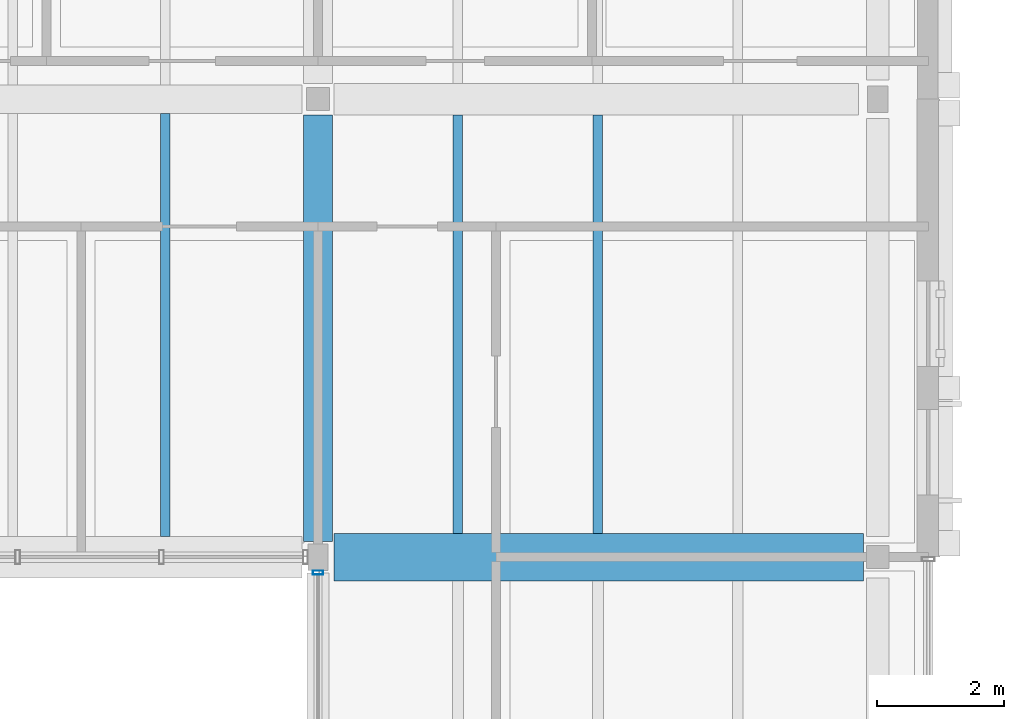
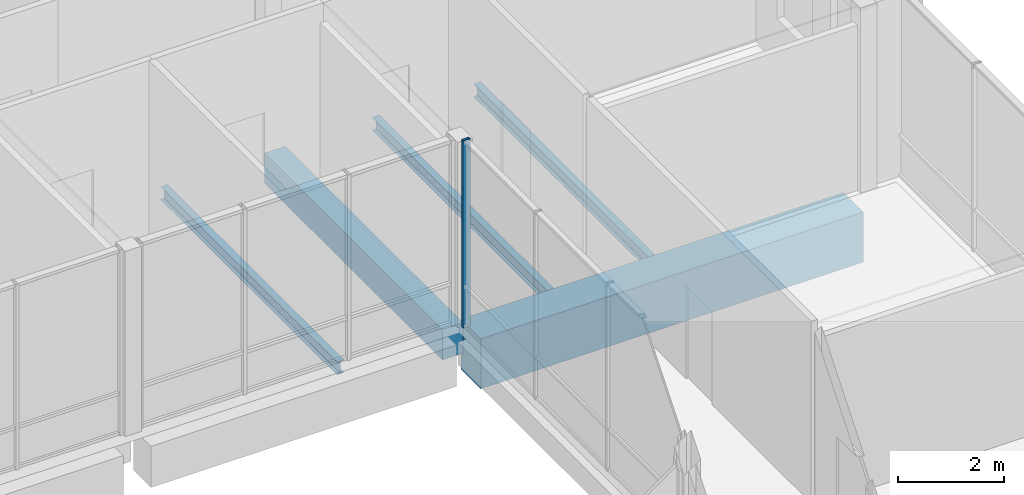
# One storey, part 52 of 146: 5 beams, 1 member, 1 element without a shape of its own.
"""IFC4 building model written with IfcOpenShell, lengths in metres."""

from ifc_helpers import new_model, si_unit, direction, frame, origin, origin_2d, place, context, subcontext, project, spatial, rectangle, hollow_rectangle, i_section, extrude, material, material_profile, profile_set, type_object, element, aggregate, save


model = new_model("IFC4")

# Units and contexts
model_context = context("Model", 3, precision=1e-05, world=origin(), true_north=direction((0.0, 1.0)))
body_context = subcontext(model_context, "Body", "Model", "MODEL_VIEW")
ifc_project = project(units=[si_unit("LENGTHUNIT", "METRE"), si_unit("AREAUNIT", "SQUARE_METRE"), si_unit("VOLUMEUNIT", "CUBIC_METRE"), si_unit("PLANEANGLEUNIT", "RADIAN"), si_unit("MASSUNIT", "GRAM", prefix="KILO")], contexts=[model_context])

# Site, building, storey
site_placement = place(None, origin())
site = spatial("IfcSite", under=ifc_project, at=site_placement, CompositionType="ELEMENT")
building_placement = place(site_placement, origin())
building = spatial("IfcBuilding", under=site, at=building_placement, Name="Hawrajan Terrace Health Centre", CompositionType="ELEMENT")
storey_placement = place(building_placement, frame((0.0, 0.0, 4.5)))
storey = spatial("IfcBuildingStorey", under=building, at=storey_placement, Name="L01", CompositionType="ELEMENT", Elevation=4.5)

# Curtain wall, member
ifc_material_1 = material(Name="Anodized bronze aluminium and low-E solar glazing", Category="aluminium")
curtain_wall_type = type_object("IfcCurtainWallType", Name="CW_Pavilion_SeriesE1", PredefinedType="USERDEFINED", material=ifc_material_1)
curtain_wall_placement = place(storey_placement, origin())
curtain_wall = element("IfcCurtainWall", 1, at=curtain_wall_placement, inside=storey, type_object=curtain_wall_type, Name="Curtain wall CW-L01-084", ObjectType="UNITISED CURTAIN WALL", PredefinedType="USERDEFINED")
ifc_material_2 = material(Name="Anodized bronze aluminium 6063-T6", Category="aluminium")
ifc_material_profile_1 = material_profile(ifc_material_2, hollow_rectangle(XDim=0.06494140625, YDim=0.159912109375, WallThickness=0.00390625, at=origin_2d()), Name="CW MUL 65x160")
ifc_profile_set_1 = profile_set([ifc_material_profile_1], Name="Anodized bronze aluminium 6063-T6")
member_type = type_object("IfcMemberType", Name="CWMullion_65x160", PredefinedType="MULLION", material=ifc_profile_set_1)
member_placement = place(storey_placement, frame((62.199951171875, 45.157470703125, -0.0048828125), z_axis=(0.0, 0.0, 1.0), x_axis=(0.0, 1.0, 0.0)))
member = element("IfcMember", 2, at=member_placement, type_object=member_type, Name="Mullion CW-L01-084-M4", PredefinedType="MULLION", context=body_context, shape_type="SweptSolid", body=[
    extrude(hollow_rectangle(XDim=0.06494140625, YDim=0.159912109375, WallThickness=0.00390625, at=origin_2d()), origin(), (0.0, 0.0, 1.0), 4.309814453125),
])
aggregate(curtain_wall, [member])

# Beams
ifc_material_3 = material(Name="Concrete C40/50", Category="concrete")
ifc_material_profile_2 = material_profile(ifc_material_3, rectangle(XDim=0.449951171875, YDim=0.699951171875, at=origin_2d()), Name="RC BM 450x700")
ifc_profile_set_2 = profile_set([ifc_material_profile_2], Name="Concrete C40/50")
beam_type_1 = type_object("IfcBeamType", Name="RCGirder_450x700", PredefinedType="BEAM", material=ifc_profile_set_2)
beam_1_placement = place(storey_placement, frame((62.199951171875, 45.64990234375, -0.64990234375), z_axis=(0.0, 1.0, 0.0), x_axis=(-1.0, 0.0, 0.0)))
element("IfcBeam", 3, at=beam_1_placement, inside=storey, type_object=beam_type_1, Name="Beam BM-Y-L01-W-X09-6", PredefinedType="BEAM", context=body_context, shape_type="SweptSolid", body=[
    extrude(rectangle(XDim=0.449951171875, YDim=0.699951171875, at=origin_2d()), origin(), (0.0, 0.0, 1.0), 6.7001953125),
])
ifc_material_profile_3 = material_profile(ifc_material_3, rectangle(XDim=0.75, YDim=1.14990234375, at=origin_2d()), Name="RC TG 750x1150")
ifc_profile_set_3 = profile_set([ifc_material_profile_3], Name="Concrete C40/50")
beam_type_2 = type_object("IfcBeamType", Name="RCTransferGirder_750x1150", PredefinedType="BEAM", material=ifc_profile_set_3)
beam_2_placement = place(storey_placement, frame((62.449951171875, 45.39990234375, -0.875), z_axis=(1.0, 0.0, 0.0), x_axis=(0.0, 1.0, 0.0)))
element("IfcBeam", 4, at=beam_2_placement, inside=storey, type_object=beam_type_2, Name="Beam BM-X-L01-W-09-Y6", PredefinedType="BEAM", context=body_context, shape_type="SweptSolid", body=[
    extrude(rectangle(XDim=0.75, YDim=1.14990234375, at=origin_2d()), origin(), (0.0, 0.0, 1.0), 8.324951171875),
])
ifc_material_4 = material(Name="Steel S355", Category="steel")
ifc_material_profile_4 = material_profile(ifc_material_4, i_section(OverallWidth=0.14990234375, OverallDepth=0.300048828125, WebThickness=0.007080078125, FlangeThickness=0.0107421875, FilletRadius=0.014892578125, at=origin_2d()), Name="IPE 300")
ifc_profile_set_4 = profile_set([ifc_material_profile_4], Name="Steel S355")
beam_type_3 = type_object("IfcBeamType", Name="SteelBeam_IPE300", PredefinedType="JOIST", material=ifc_profile_set_4)
beam_3_placement = place(storey_placement, frame((59.800048828125, 45.72509765625, -0.449951171875), z_axis=(0.0, 1.0, 0.0), x_axis=(-1.0, 0.0, 0.0)))
element("IfcBeam", 5, at=beam_3_placement, inside=storey, type_object=beam_type_3, Name="Secondary joist JST-L01-W-08-6-2", PredefinedType="JOIST", context=body_context, shape_type="SweptSolid", body=[
    extrude(i_section(OverallWidth=0.14990234375, OverallDepth=0.300048828125, WebThickness=0.007080078125, FlangeThickness=0.0107421875, FilletRadius=0.014892578125, at=origin_2d()), origin(), (0.0, 0.0, 1.0), 6.64990234375),
])
for number, where, z_axis, x_axis, name in (
    (6, (64.39990234375, 45.77490234375, -0.449951171875), (0.0, 1.0, 0.0), (-1.0, 0.0, 0.0), "Secondary joist JST-L01-W-09-6-1"),
    (7, (66.60009765625, 45.77490234375, -0.449951171875), (0.0, 1.0, 0.0), (-1.0, 0.0, 0.0), "Secondary joist JST-L01-W-09-6-2"),
):
    element("IfcBeam", number, at=place(storey_placement, frame(where, z_axis=z_axis, x_axis=x_axis)), inside=storey, type_object=beam_type_3, Name=name, PredefinedType="JOIST", context=body_context, shape_type="SweptSolid", body=[
        extrude(i_section(OverallWidth=0.14990234375, OverallDepth=0.300048828125, WebThickness=0.007080078125, FlangeThickness=0.0107421875, FilletRadius=0.014892578125, at=origin_2d()), origin(), (0.0, 0.0, 1.0), 6.5751953125),
    ])

save(model, "model.ifc")
